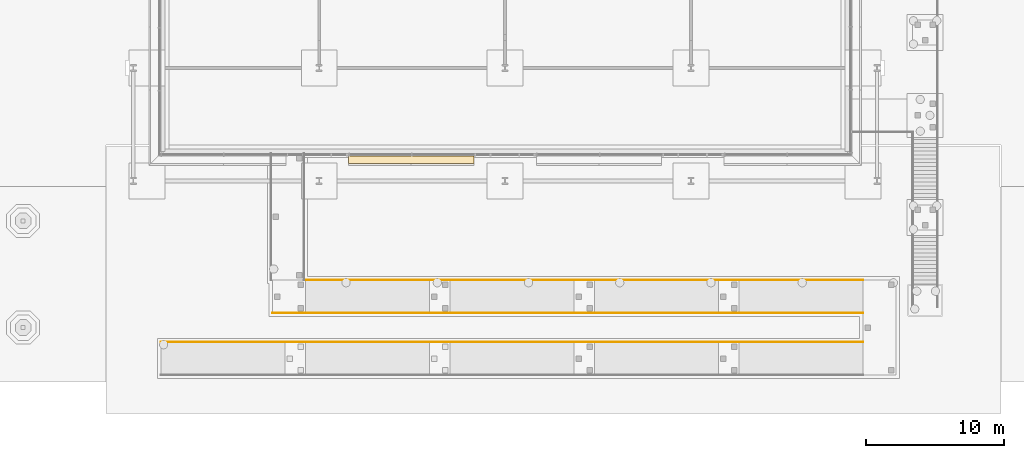
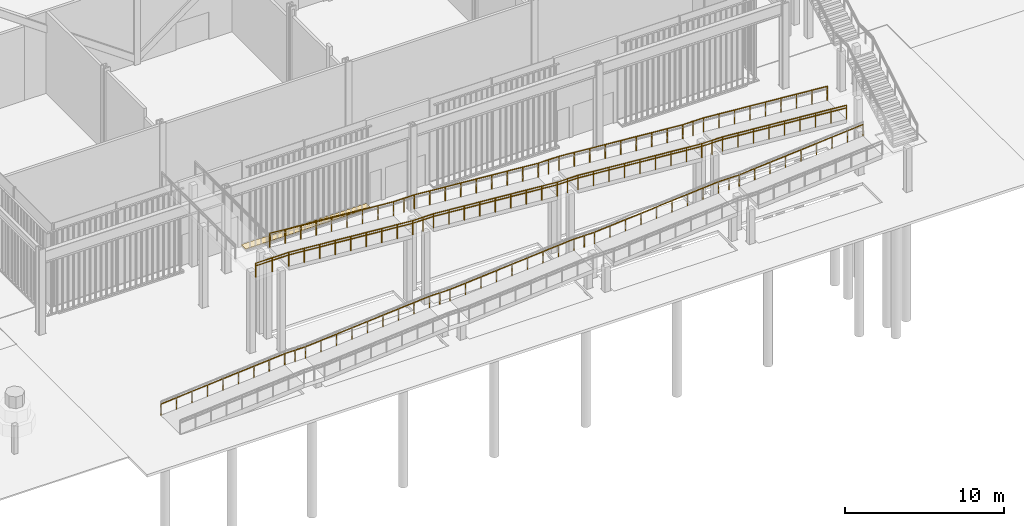
# One storey, part 22 of 28: 4 railings, 1 covering.
"""IFC4 building model written with IfcOpenShell, lengths in metres."""

from ifc_helpers import new_model, si_unit, direction, frame, origin, origin_2d, place, context, subcontext, project, spatial, polyline, circle, outline, extrude, material, layer, layer_set, type_object, element, save


model = new_model("IFC4")

# Units and contexts
model_context = context("Model", 3, precision=1e-05, world=origin(), true_north=direction((0.0, 1.0)))
body_context = subcontext(model_context, "Body", "Model", "MODEL_VIEW")
ifc_project = project(units=[si_unit("LENGTHUNIT", "METRE"), si_unit("AREAUNIT", "SQUARE_METRE"), si_unit("VOLUMEUNIT", "CUBIC_METRE"), si_unit("PLANEANGLEUNIT", "RADIAN"), si_unit("MASSUNIT", "GRAM", prefix="KILO")], contexts=[model_context])

# Site, building, storey
site_placement = place(None, origin())
site = spatial("IfcSite", under=ifc_project, at=site_placement, CompositionType="ELEMENT")
building_placement = place(site_placement, origin())
building = spatial("IfcBuilding", under=site, at=building_placement, Name="Millrace Tower", CompositionType="ELEMENT")
storey_placement = place(building_placement, origin())
storey = spatial("IfcBuildingStorey", under=building, at=storey_placement, Name="L01", CompositionType="ELEMENT", Elevation=0.0)

# Covering
ifc_material_1 = material(Name="Steel ASTM A36", Category="steel")
ifc_layer = layer(ifc_material_1, 0.050048828125)
ifc_layer_set = layer_set([ifc_layer], Name="Steel ASTM A36")
covering_type = type_object("IfcCoveringType", Name="CAVITY CATWALK steel grating", PredefinedType="FLOORING", material=ifc_layer_set)
covering_placement = place(storey_placement, frame((0.0, 0.0, 0.10009765625)))
element("IfcCovering", 1, at=covering_placement, inside=storey, type_object=covering_type, Name="Cavity catwalk grating AW1-F01 L01 2", PredefinedType="FLOORING", context=body_context, shape_type="SweptSolid", body=[
    extrude(outline(polyline([(-11.363525390625, -48.35009765625), (-2.272705078125, -48.35009765625), (-2.272705078125, -47.800048828125), (-11.363525390625, -47.800048828125), (-11.363525390625, -48.35009765625)])), origin(), (0.0, 0.0, 1.0), 0.0498046875),
])

# Railings
ifc_material_2 = material(Name="Stainless steel ASTM A240 type 316", Category="steel")
railing_type_1 = type_object("IfcRailingType", Name="Ramp guard 1100", PredefinedType="GUARDRAIL", material=ifc_material_2)
placement = place(storey_placement, frame((26.0, -59.199951171875, 3.611083984375)))
element("IfcRailing", 2, at=placement, inside=storey, type_object=railing_type_1, Name="Ramp guard row B S", PredefinedType="GUARDRAIL", context=body_context, shape_type="SweptSolid", body=[
    extrude(circle(Radius=0.02392578125, at=origin_2d()), frame((0.0, 0.0, 1.076171875), z_axis=(-0.996796163047, 0.0, 0.079983806703), x_axis=(0.0, -1.0, 0.0)), (0.0, 0.0, 1.0), 9.02880859375),
    extrude(circle(Radius=0.02392578125, at=origin_2d()), frame((-9.0, 0.0, 1.79833984375), z_axis=(-1.0, 0.0, 0.0), x_axis=(0.0, -1.0, 0.0)), (0.0, 0.0, 1.0), 1.5),
    extrude(circle(Radius=0.02392578125, at=origin_2d()), frame((-10.5, 0.0, 1.79833984375), z_axis=(-0.99679400687, 0.0, 0.080010673457), x_axis=(0.0, -1.0, 0.0)), (0.0, 0.0, 1.0), 9.029052734375),
    extrude(circle(Radius=0.02392578125, at=origin_2d()), frame((-19.5, 0.0, 2.5205078125), z_axis=(-1.0, 0.0, 0.0), x_axis=(0.0, -1.0, 0.0)), (0.0, 0.0, 1.0), 1.5),
    extrude(circle(Radius=0.02392578125, at=origin_2d()), frame((-21.0, 0.0, 2.5205078125), z_axis=(-0.996796163047, 0.0, 0.079983806703), x_axis=(0.0, -1.0, 0.0)), (0.0, 0.0, 1.0), 9.02880859375),
    extrude(circle(Radius=0.02392578125, at=origin_2d()), frame((-30.0, 0.0, 3.24267578125), z_axis=(-1.0, 0.0, 0.0), x_axis=(0.0, -1.0, 0.0)), (0.0, 0.0, 1.0), 1.5),
    extrude(circle(Radius=0.02392578125, at=origin_2d()), frame((-31.5, 0.0, 3.24267578125), z_axis=(-0.996796163047, 0.0, 0.079983806703), x_axis=(0.0, -1.0, 0.0)), (0.0, 0.0, 1.0), 9.02880859375),
    extrude(circle(Radius=0.02392578125, at=origin_2d()), frame((-40.5, 0.0, 3.96484375), z_axis=(-1.0, 0.0, 0.0), x_axis=(0.0, -1.0, 0.0)), (0.0, 0.0, 1.0), 2.39990234375),
    extrude(circle(Radius=0.02099609375, at=origin_2d()), origin(), (0.0, 0.0, 1.0), 1.052001953125),
    extrude(circle(Radius=0.02099609375, at=origin_2d()), frame((-1.125, 0.0, 0.09033203125)), (0.0, 0.0, 1.0), 1.052001953125),
    extrude(circle(Radius=0.02099609375, at=origin_2d()), frame((-2.25, 0.0, 0.1806640625)), (0.0, 0.0, 1.0), 1.052001953125),
    extrude(circle(Radius=0.02099609375, at=origin_2d()), frame((-3.375, 0.0, 0.270751953125)), (0.0, 0.0, 1.0), 1.052001953125),
    extrude(circle(Radius=0.02099609375, at=origin_2d()), frame((-4.5, 0.0, 0.361083984375)), (0.0, 0.0, 1.0), 1.052001953125),
    extrude(circle(Radius=0.02099609375, at=origin_2d()), frame((-5.625, 0.0, 0.451416015625)), (0.0, 0.0, 1.0), 1.052001953125),
    extrude(circle(Radius=0.02099609375, at=origin_2d()), frame((-6.75, 0.0, 0.54150390625)), (0.0, 0.0, 1.0), 1.052001953125),
    extrude(circle(Radius=0.02099609375, at=origin_2d()), frame((-7.875, 0.0, 0.6318359375)), (0.0, 0.0, 1.0), 1.052001953125),
    extrude(circle(Radius=0.02099609375, at=origin_2d()), frame((-9.0, 0.0, 0.72216796875)), (0.0, 0.0, 1.0), 1.052001953125),
    extrude(circle(Radius=0.02099609375, at=origin_2d()), frame((-9.75, 0.0, 0.72216796875)), (0.0, 0.0, 1.0), 1.052001953125),
    extrude(circle(Radius=0.02099609375, at=origin_2d()), frame((-10.5, 0.0, 0.72216796875)), (0.0, 0.0, 1.0), 1.052001953125),
    extrude(circle(Radius=0.02099609375, at=origin_2d()), frame((-11.625, 0.0, 0.8125)), (0.0, 0.0, 1.0), 1.052001953125),
    extrude(circle(Radius=0.02099609375, at=origin_2d()), frame((-12.75, 0.0, 0.90283203125)), (0.0, 0.0, 1.0), 1.052001953125),
    extrude(circle(Radius=0.02099609375, at=origin_2d()), frame((-13.875, 0.0, 0.9931640625)), (0.0, 0.0, 1.0), 1.052001953125),
    extrude(circle(Radius=0.02099609375, at=origin_2d()), frame((-15.0, 0.0, 1.08349609375)), (0.0, 0.0, 1.0), 1.052001953125),
    extrude(circle(Radius=0.02099609375, at=origin_2d()), frame((-16.125, 0.0, 1.173583984375)), (0.0, 0.0, 1.0), 1.052001953125),
    extrude(circle(Radius=0.02099609375, at=origin_2d()), frame((-17.25, 0.0, 1.263916015625)), (0.0, 0.0, 1.0), 1.052001953125),
    extrude(circle(Radius=0.02099609375, at=origin_2d()), frame((-18.375, 0.0, 1.354248046875)), (0.0, 0.0, 1.0), 1.052001953125),
    extrude(circle(Radius=0.02099609375, at=origin_2d()), frame((-19.5, 0.0, 1.444580078125)), (0.0, 0.0, 1.0), 1.052001953125),
    extrude(circle(Radius=0.02099609375, at=origin_2d()), frame((-20.25, 0.0, 1.444580078125)), (0.0, 0.0, 1.0), 1.052001953125),
    extrude(circle(Radius=0.02099609375, at=origin_2d()), frame((-21.0, 0.0, 1.444580078125)), (0.0, 0.0, 1.0), 1.052001953125),
    extrude(circle(Radius=0.02099609375, at=origin_2d()), frame((-22.125, 0.0, 1.534912109375)), (0.0, 0.0, 1.0), 1.052001953125),
    extrude(circle(Radius=0.02099609375, at=origin_2d()), frame((-23.25, 0.0, 1.625)), (0.0, 0.0, 1.0), 1.052001953125),
    extrude(circle(Radius=0.02099609375, at=origin_2d()), frame((-24.375, 0.0, 1.71533203125)), (0.0, 0.0, 1.0), 1.052001953125),
    extrude(circle(Radius=0.02099609375, at=origin_2d()), frame((-25.5, 0.0, 1.8056640625)), (0.0, 0.0, 1.0), 1.052001953125),
    extrude(circle(Radius=0.02099609375, at=origin_2d()), frame((-26.625, 0.0, 1.89599609375)), (0.0, 0.0, 1.0), 1.052001953125),
    extrude(circle(Radius=0.02099609375, at=origin_2d()), frame((-27.75, 0.0, 1.986328125)), (0.0, 0.0, 1.0), 1.052001953125),
    extrude(circle(Radius=0.02099609375, at=origin_2d()), frame((-28.875, 0.0, 2.076416015625)), (0.0, 0.0, 1.0), 1.052001953125),
    extrude(circle(Radius=0.02099609375, at=origin_2d()), frame((-30.0, 0.0, 2.166748046875)), (0.0, 0.0, 1.0), 1.052001953125),
    extrude(circle(Radius=0.02099609375, at=origin_2d()), frame((-30.75, 0.0, 2.166748046875)), (0.0, 0.0, 1.0), 1.052001953125),
    extrude(circle(Radius=0.02099609375, at=origin_2d()), frame((-31.5, 0.0, 2.166748046875)), (0.0, 0.0, 1.0), 1.052001953125),
    extrude(circle(Radius=0.02099609375, at=origin_2d()), frame((-32.625, 0.0, 2.257080078125)), (0.0, 0.0, 1.0), 1.052001953125),
    extrude(circle(Radius=0.02099609375, at=origin_2d()), frame((-33.75, 0.0, 2.34716796875)), (0.0, 0.0, 1.0), 1.052001953125),
    extrude(circle(Radius=0.02099609375, at=origin_2d()), frame((-34.875, 0.0, 2.4375)), (0.0, 0.0, 1.0), 1.052001953125),
    extrude(circle(Radius=0.02099609375, at=origin_2d()), frame((-36.0, 0.0, 2.52783203125)), (0.0, 0.0, 1.0), 1.052001953125),
    extrude(circle(Radius=0.02099609375, at=origin_2d()), frame((-37.125, 0.0, 2.6181640625)), (0.0, 0.0, 1.0), 1.052001953125),
    extrude(circle(Radius=0.02099609375, at=origin_2d()), frame((-38.25, 0.0, 2.70849609375)), (0.0, 0.0, 1.0), 1.052001953125),
    extrude(circle(Radius=0.02099609375, at=origin_2d()), frame((-39.375, 0.0, 2.798583984375)), (0.0, 0.0, 1.0), 1.052001953125),
    extrude(circle(Radius=0.02099609375, at=origin_2d()), frame((-40.5, 0.0, 2.888916015625)), (0.0, 0.0, 1.0), 1.052001953125),
    extrude(circle(Radius=0.02099609375, at=origin_2d()), frame((-41.699951171875, 0.0, 2.888916015625)), (0.0, 0.0, 1.0), 1.052001953125),
    extrude(circle(Radius=0.02099609375, at=origin_2d()), frame((-42.89990234375, 0.0, 2.888916015625)), (0.0, 0.0, 1.0), 1.052001953125),
])
railing_2_placement = place(storey_placement, frame((26.0, -56.800048828125, 3.611083984375)))
element("IfcRailing", 3, at=railing_2_placement, inside=storey, type_object=railing_type_1, Name="Ramp guard row B N", PredefinedType="GUARDRAIL", context=body_context, shape_type="SweptSolid", body=[
    extrude(circle(Radius=0.02392578125, at=origin_2d()), frame((0.0, 0.0, 1.076171875), z_axis=(-0.996796163047, 0.0, 0.079983806703), x_axis=(0.0, -1.0, 0.0)), (0.0, 0.0, 1.0), 9.02880859375),
    extrude(circle(Radius=0.02392578125, at=origin_2d()), frame((-9.0, 0.0, 1.79833984375), z_axis=(-1.0, 0.0, 0.0), x_axis=(0.0, -1.0, 0.0)), (0.0, 0.0, 1.0), 1.5),
    extrude(circle(Radius=0.02392578125, at=origin_2d()), frame((-10.5, 0.0, 1.79833984375), z_axis=(-0.99679400687, 0.0, 0.080010673457), x_axis=(0.0, -1.0, 0.0)), (0.0, 0.0, 1.0), 9.029052734375),
    extrude(circle(Radius=0.02392578125, at=origin_2d()), frame((-19.5, 0.0, 2.5205078125), z_axis=(-1.0, 0.0, 0.0), x_axis=(0.0, -1.0, 0.0)), (0.0, 0.0, 1.0), 1.5),
    extrude(circle(Radius=0.02392578125, at=origin_2d()), frame((-21.0, 0.0, 2.5205078125), z_axis=(-0.996796163047, 0.0, 0.079983806703), x_axis=(0.0, -1.0, 0.0)), (0.0, 0.0, 1.0), 9.02880859375),
    extrude(circle(Radius=0.02392578125, at=origin_2d()), frame((-30.0, 0.0, 3.24267578125), z_axis=(-1.0, 0.0, 0.0), x_axis=(0.0, -1.0, 0.0)), (0.0, 0.0, 1.0), 1.5),
    extrude(circle(Radius=0.02392578125, at=origin_2d()), frame((-31.5, 0.0, 3.24267578125), z_axis=(-0.996796163047, 0.0, 0.079983806703), x_axis=(0.0, -1.0, 0.0)), (0.0, 0.0, 1.0), 9.02880859375),
    extrude(circle(Radius=0.02099609375, at=origin_2d()), origin(), (0.0, 0.0, 1.0), 1.052001953125),
    extrude(circle(Radius=0.02099609375, at=origin_2d()), frame((-1.125, 0.0, 0.09033203125)), (0.0, 0.0, 1.0), 1.052001953125),
    extrude(circle(Radius=0.02099609375, at=origin_2d()), frame((-2.25, 0.0, 0.1806640625)), (0.0, 0.0, 1.0), 1.052001953125),
    extrude(circle(Radius=0.02099609375, at=origin_2d()), frame((-3.375, 0.0, 0.270751953125)), (0.0, 0.0, 1.0), 1.052001953125),
    extrude(circle(Radius=0.02099609375, at=origin_2d()), frame((-4.5, 0.0, 0.361083984375)), (0.0, 0.0, 1.0), 1.052001953125),
    extrude(circle(Radius=0.02099609375, at=origin_2d()), frame((-5.625, 0.0, 0.451416015625)), (0.0, 0.0, 1.0), 1.052001953125),
    extrude(circle(Radius=0.02099609375, at=origin_2d()), frame((-6.75, 0.0, 0.54150390625)), (0.0, 0.0, 1.0), 1.052001953125),
    extrude(circle(Radius=0.02099609375, at=origin_2d()), frame((-7.875, 0.0, 0.6318359375)), (0.0, 0.0, 1.0), 1.052001953125),
    extrude(circle(Radius=0.02099609375, at=origin_2d()), frame((-9.0, 0.0, 0.72216796875)), (0.0, 0.0, 1.0), 1.052001953125),
    extrude(circle(Radius=0.02099609375, at=origin_2d()), frame((-9.75, 0.0, 0.72216796875)), (0.0, 0.0, 1.0), 1.052001953125),
    extrude(circle(Radius=0.02099609375, at=origin_2d()), frame((-10.5, 0.0, 0.72216796875)), (0.0, 0.0, 1.0), 1.052001953125),
    extrude(circle(Radius=0.02099609375, at=origin_2d()), frame((-11.625, 0.0, 0.8125)), (0.0, 0.0, 1.0), 1.052001953125),
    extrude(circle(Radius=0.02099609375, at=origin_2d()), frame((-12.75, 0.0, 0.90283203125)), (0.0, 0.0, 1.0), 1.052001953125),
    extrude(circle(Radius=0.02099609375, at=origin_2d()), frame((-13.875, 0.0, 0.9931640625)), (0.0, 0.0, 1.0), 1.052001953125),
    extrude(circle(Radius=0.02099609375, at=origin_2d()), frame((-15.0, 0.0, 1.08349609375)), (0.0, 0.0, 1.0), 1.052001953125),
    extrude(circle(Radius=0.02099609375, at=origin_2d()), frame((-16.125, 0.0, 1.173583984375)), (0.0, 0.0, 1.0), 1.052001953125),
    extrude(circle(Radius=0.02099609375, at=origin_2d()), frame((-17.25, 0.0, 1.263916015625)), (0.0, 0.0, 1.0), 1.052001953125),
    extrude(circle(Radius=0.02099609375, at=origin_2d()), frame((-18.375, 0.0, 1.354248046875)), (0.0, 0.0, 1.0), 1.052001953125),
    extrude(circle(Radius=0.02099609375, at=origin_2d()), frame((-19.5, 0.0, 1.444580078125)), (0.0, 0.0, 1.0), 1.052001953125),
    extrude(circle(Radius=0.02099609375, at=origin_2d()), frame((-20.25, 0.0, 1.444580078125)), (0.0, 0.0, 1.0), 1.052001953125),
    extrude(circle(Radius=0.02099609375, at=origin_2d()), frame((-21.0, 0.0, 1.444580078125)), (0.0, 0.0, 1.0), 1.052001953125),
    extrude(circle(Radius=0.02099609375, at=origin_2d()), frame((-22.125, 0.0, 1.534912109375)), (0.0, 0.0, 1.0), 1.052001953125),
    extrude(circle(Radius=0.02099609375, at=origin_2d()), frame((-23.25, 0.0, 1.625)), (0.0, 0.0, 1.0), 1.052001953125),
    extrude(circle(Radius=0.02099609375, at=origin_2d()), frame((-24.375, 0.0, 1.71533203125)), (0.0, 0.0, 1.0), 1.052001953125),
    extrude(circle(Radius=0.02099609375, at=origin_2d()), frame((-25.5, 0.0, 1.8056640625)), (0.0, 0.0, 1.0), 1.052001953125),
    extrude(circle(Radius=0.02099609375, at=origin_2d()), frame((-26.625, 0.0, 1.89599609375)), (0.0, 0.0, 1.0), 1.052001953125),
    extrude(circle(Radius=0.02099609375, at=origin_2d()), frame((-27.75, 0.0, 1.986328125)), (0.0, 0.0, 1.0), 1.052001953125),
    extrude(circle(Radius=0.02099609375, at=origin_2d()), frame((-28.875, 0.0, 2.076416015625)), (0.0, 0.0, 1.0), 1.052001953125),
    extrude(circle(Radius=0.02099609375, at=origin_2d()), frame((-30.0, 0.0, 2.166748046875)), (0.0, 0.0, 1.0), 1.052001953125),
    extrude(circle(Radius=0.02099609375, at=origin_2d()), frame((-30.75, 0.0, 2.166748046875)), (0.0, 0.0, 1.0), 1.052001953125),
    extrude(circle(Radius=0.02099609375, at=origin_2d()), frame((-31.5, 0.0, 2.166748046875)), (0.0, 0.0, 1.0), 1.052001953125),
    extrude(circle(Radius=0.02099609375, at=origin_2d()), frame((-32.625, 0.0, 2.257080078125)), (0.0, 0.0, 1.0), 1.052001953125),
    extrude(circle(Radius=0.02099609375, at=origin_2d()), frame((-33.75, 0.0, 2.34716796875)), (0.0, 0.0, 1.0), 1.052001953125),
    extrude(circle(Radius=0.02099609375, at=origin_2d()), frame((-34.875, 0.0, 2.4375)), (0.0, 0.0, 1.0), 1.052001953125),
    extrude(circle(Radius=0.02099609375, at=origin_2d()), frame((-36.0, 0.0, 2.52783203125)), (0.0, 0.0, 1.0), 1.052001953125),
    extrude(circle(Radius=0.02099609375, at=origin_2d()), frame((-37.125, 0.0, 2.6181640625)), (0.0, 0.0, 1.0), 1.052001953125),
    extrude(circle(Radius=0.02099609375, at=origin_2d()), frame((-38.25, 0.0, 2.70849609375)), (0.0, 0.0, 1.0), 1.052001953125),
    extrude(circle(Radius=0.02099609375, at=origin_2d()), frame((-39.375, 0.0, 2.798583984375)), (0.0, 0.0, 1.0), 1.052001953125),
    extrude(circle(Radius=0.02099609375, at=origin_2d()), frame((-40.5, 0.0, 2.888916015625)), (0.0, 0.0, 1.0), 1.052001953125),
])
ifc_material_3 = material(Name="Stainless steel ASTM A240 type 316", Category="steel")
railing_type_2 = type_object("IfcRailingType", Name="Ramp handrail 900", PredefinedType="HANDRAIL", material=ifc_material_3)
railing_3_placement = place(storey_placement, frame((-25.0, -61.300048828125, 0.0)))
element("IfcRailing", 4, at=railing_3_placement, inside=storey, type_object=railing_type_2, Name="Ramp handrail row A N", PredefinedType="HANDRAIL", context=body_context, shape_type="SweptSolid", body=[
    extrude(circle(Radius=0.02392578125, at=origin_2d()), frame((0.0, 0.0, 0.8759765625), z_axis=(0.996796163047, 0.0, 0.079983806703), x_axis=(0.0, 1.0, 0.0)), (0.0, 0.0, 1.0), 9.02880859375),
    extrude(circle(Radius=0.02392578125, at=origin_2d()), frame((9.0, 0.0, 1.59814453125), z_axis=(1.0, 0.0, 0.0), x_axis=(0.0, 1.0, 0.0)), (0.0, 0.0, 1.0), 1.5),
    extrude(circle(Radius=0.02392578125, at=origin_2d()), frame((10.5, 0.0, 1.59814453125), z_axis=(0.996796163047, 0.0, 0.079983806703), x_axis=(0.0, 1.0, 0.0)), (0.0, 0.0, 1.0), 9.02880859375),
    extrude(circle(Radius=0.02392578125, at=origin_2d()), frame((19.5, 0.0, 2.3203125), z_axis=(1.0, 0.0, 0.0), x_axis=(0.0, 1.0, 0.0)), (0.0, 0.0, 1.0), 1.5),
    extrude(circle(Radius=0.02392578125, at=origin_2d()), frame((21.0, 0.0, 2.3203125), z_axis=(0.99679400687, 0.0, 0.080010673457), x_axis=(0.0, 1.0, 0.0)), (0.0, 0.0, 1.0), 9.029052734375),
    extrude(circle(Radius=0.02392578125, at=origin_2d()), frame((30.0, 0.0, 3.04248046875), z_axis=(1.0, 0.0, 0.0), x_axis=(0.0, 1.0, 0.0)), (0.0, 0.0, 1.0), 1.5),
    extrude(circle(Radius=0.02392578125, at=origin_2d()), frame((31.5, 0.0, 3.04248046875), z_axis=(0.996796163047, 0.0, 0.079983806703), x_axis=(0.0, 1.0, 0.0)), (0.0, 0.0, 1.0), 9.02880859375),
    extrude(circle(Radius=0.02392578125, at=origin_2d()), frame((40.5, 0.0, 3.7646484375), z_axis=(1.0, 0.0, 0.0), x_axis=(0.0, 1.0, 0.0)), (0.0, 0.0, 1.0), 1.5),
    extrude(circle(Radius=0.02392578125, at=origin_2d()), frame((42.0, 0.0, 3.7646484375), z_axis=(0.996796163047, 0.0, 0.079983806703), x_axis=(0.0, 1.0, 0.0)), (0.0, 0.0, 1.0), 9.02880859375),
    extrude(circle(Radius=0.02099609375, at=origin_2d()), origin(), (0.0, 0.0, 1.0), 0.851806640625),
    extrude(circle(Radius=0.02099609375, at=origin_2d()), frame((1.125, 0.0, 0.09033203125)), (0.0, 0.0, 1.0), 0.851806640625),
    extrude(circle(Radius=0.02099609375, at=origin_2d()), frame((2.25, 0.0, 0.1806640625)), (0.0, 0.0, 1.0), 0.851806640625),
    extrude(circle(Radius=0.02099609375, at=origin_2d()), frame((3.375, 0.0, 0.270751953125)), (0.0, 0.0, 1.0), 0.851806640625),
    extrude(circle(Radius=0.02099609375, at=origin_2d()), frame((4.5, 0.0, 0.361083984375)), (0.0, 0.0, 1.0), 0.851806640625),
    extrude(circle(Radius=0.02099609375, at=origin_2d()), frame((5.625, 0.0, 0.451416015625)), (0.0, 0.0, 1.0), 0.851806640625),
    extrude(circle(Radius=0.02099609375, at=origin_2d()), frame((6.75, 0.0, 0.54150390625)), (0.0, 0.0, 1.0), 0.851806640625),
    extrude(circle(Radius=0.02099609375, at=origin_2d()), frame((7.875, 0.0, 0.6318359375)), (0.0, 0.0, 1.0), 0.851806640625),
    extrude(circle(Radius=0.02099609375, at=origin_2d()), frame((9.0, 0.0, 0.72216796875)), (0.0, 0.0, 1.0), 0.851806640625),
    extrude(circle(Radius=0.02099609375, at=origin_2d()), frame((9.75, 0.0, 0.72216796875)), (0.0, 0.0, 1.0), 0.851806640625),
    extrude(circle(Radius=0.02099609375, at=origin_2d()), frame((10.5, 0.0, 0.72216796875)), (0.0, 0.0, 1.0), 0.851806640625),
    extrude(circle(Radius=0.02099609375, at=origin_2d()), frame((11.625, 0.0, 0.8125)), (0.0, 0.0, 1.0), 0.851806640625),
    extrude(circle(Radius=0.02099609375, at=origin_2d()), frame((12.75, 0.0, 0.90283203125)), (0.0, 0.0, 1.0), 0.851806640625),
    extrude(circle(Radius=0.02099609375, at=origin_2d()), frame((13.875, 0.0, 0.992919921875)), (0.0, 0.0, 1.0), 0.851806640625),
    extrude(circle(Radius=0.02099609375, at=origin_2d()), frame((15.0, 0.0, 1.083251953125)), (0.0, 0.0, 1.0), 0.851806640625),
    extrude(circle(Radius=0.02099609375, at=origin_2d()), frame((16.125, 0.0, 1.173583984375)), (0.0, 0.0, 1.0), 0.851806640625),
    extrude(circle(Radius=0.02099609375, at=origin_2d()), frame((17.25, 0.0, 1.263671875)), (0.0, 0.0, 1.0), 0.851806640625),
    extrude(circle(Radius=0.02099609375, at=origin_2d()), frame((18.375, 0.0, 1.35400390625)), (0.0, 0.0, 1.0), 0.851806640625),
    extrude(circle(Radius=0.02099609375, at=origin_2d()), frame((19.5, 0.0, 1.4443359375)), (0.0, 0.0, 1.0), 0.851806640625),
    extrude(circle(Radius=0.02099609375, at=origin_2d()), frame((20.25, 0.0, 1.4443359375)), (0.0, 0.0, 1.0), 0.851806640625),
    extrude(circle(Radius=0.02099609375, at=origin_2d()), frame((21.0, 0.0, 1.4443359375)), (0.0, 0.0, 1.0), 0.851806640625),
    extrude(circle(Radius=0.02099609375, at=origin_2d()), frame((22.125, 0.0, 1.53466796875)), (0.0, 0.0, 1.0), 0.851806640625),
    extrude(circle(Radius=0.02099609375, at=origin_2d()), frame((23.25, 0.0, 1.625)), (0.0, 0.0, 1.0), 0.851806640625),
    extrude(circle(Radius=0.02099609375, at=origin_2d()), frame((24.375, 0.0, 1.71533203125)), (0.0, 0.0, 1.0), 0.851806640625),
    extrude(circle(Radius=0.02099609375, at=origin_2d()), frame((25.5, 0.0, 1.8056640625)), (0.0, 0.0, 1.0), 0.851806640625),
    extrude(circle(Radius=0.02099609375, at=origin_2d()), frame((26.625, 0.0, 1.895751953125)), (0.0, 0.0, 1.0), 0.851806640625),
    extrude(circle(Radius=0.02099609375, at=origin_2d()), frame((27.75, 0.0, 1.986083984375)), (0.0, 0.0, 1.0), 0.851806640625),
    extrude(circle(Radius=0.02099609375, at=origin_2d()), frame((28.875, 0.0, 2.076416015625)), (0.0, 0.0, 1.0), 0.851806640625),
    extrude(circle(Radius=0.02099609375, at=origin_2d()), frame((30.0, 0.0, 2.166748046875)), (0.0, 0.0, 1.0), 0.851806640625),
    extrude(circle(Radius=0.02099609375, at=origin_2d()), frame((30.75, 0.0, 2.166748046875)), (0.0, 0.0, 1.0), 0.851806640625),
    extrude(circle(Radius=0.02099609375, at=origin_2d()), frame((31.5, 0.0, 2.166748046875)), (0.0, 0.0, 1.0), 0.851806640625),
    extrude(circle(Radius=0.02099609375, at=origin_2d()), frame((32.625, 0.0, 2.257080078125)), (0.0, 0.0, 1.0), 0.851806640625),
    extrude(circle(Radius=0.02099609375, at=origin_2d()), frame((33.75, 0.0, 2.34716796875)), (0.0, 0.0, 1.0), 0.851806640625),
    extrude(circle(Radius=0.02099609375, at=origin_2d()), frame((34.875, 0.0, 2.4375)), (0.0, 0.0, 1.0), 0.851806640625),
    extrude(circle(Radius=0.02099609375, at=origin_2d()), frame((36.0, 0.0, 2.52783203125)), (0.0, 0.0, 1.0), 0.851806640625),
    extrude(circle(Radius=0.02099609375, at=origin_2d()), frame((37.125, 0.0, 2.6181640625)), (0.0, 0.0, 1.0), 0.851806640625),
    extrude(circle(Radius=0.02099609375, at=origin_2d()), frame((38.25, 0.0, 2.70849609375)), (0.0, 0.0, 1.0), 0.851806640625),
    extrude(circle(Radius=0.02099609375, at=origin_2d()), frame((39.375, 0.0, 2.798583984375)), (0.0, 0.0, 1.0), 0.851806640625),
    extrude(circle(Radius=0.02099609375, at=origin_2d()), frame((40.5, 0.0, 2.888916015625)), (0.0, 0.0, 1.0), 0.851806640625),
    extrude(circle(Radius=0.02099609375, at=origin_2d()), frame((41.25, 0.0, 2.888916015625)), (0.0, 0.0, 1.0), 0.851806640625),
    extrude(circle(Radius=0.02099609375, at=origin_2d()), frame((42.0, 0.0, 2.888916015625)), (0.0, 0.0, 1.0), 0.851806640625),
    extrude(circle(Radius=0.02099609375, at=origin_2d()), frame((43.125, 0.0, 2.979248046875)), (0.0, 0.0, 1.0), 0.851806640625),
    extrude(circle(Radius=0.02099609375, at=origin_2d()), frame((44.25, 0.0, 3.0693359375)), (0.0, 0.0, 1.0), 0.851806640625),
    extrude(circle(Radius=0.02099609375, at=origin_2d()), frame((45.375, 0.0, 3.15966796875)), (0.0, 0.0, 1.0), 0.851806640625),
    extrude(circle(Radius=0.02099609375, at=origin_2d()), frame((46.5, 0.0, 3.25)), (0.0, 0.0, 1.0), 0.851806640625),
    extrude(circle(Radius=0.02099609375, at=origin_2d()), frame((47.625, 0.0, 3.34033203125)), (0.0, 0.0, 1.0), 0.851806640625),
    extrude(circle(Radius=0.02099609375, at=origin_2d()), frame((48.75, 0.0, 3.4306640625)), (0.0, 0.0, 1.0), 0.851806640625),
    extrude(circle(Radius=0.02099609375, at=origin_2d()), frame((49.875, 0.0, 3.520751953125)), (0.0, 0.0, 1.0), 0.851806640625),
    extrude(circle(Radius=0.02099609375, at=origin_2d()), frame((51.0, 0.0, 3.611083984375)), (0.0, 0.0, 1.0), 0.851806640625),
])
element("IfcRailing", 5, at=placement, inside=storey, type_object=railing_type_2, Name="Ramp handrail row B S", PredefinedType="HANDRAIL", context=body_context, shape_type="SweptSolid", body=[
    extrude(circle(Radius=0.02392578125, at=origin_2d()), frame((0.0, 0.0, 0.8759765625), z_axis=(-0.996796163047, 0.0, 0.079983806703), x_axis=(0.0, -1.0, 0.0)), (0.0, 0.0, 1.0), 9.02880859375),
    extrude(circle(Radius=0.02392578125, at=origin_2d()), frame((-9.0, 0.0, 1.59814453125), z_axis=(-1.0, 0.0, 0.0), x_axis=(0.0, -1.0, 0.0)), (0.0, 0.0, 1.0), 1.5),
    extrude(circle(Radius=0.02392578125, at=origin_2d()), frame((-10.5, 0.0, 1.59814453125), z_axis=(-0.99679400687, 0.0, 0.080010673457), x_axis=(0.0, -1.0, 0.0)), (0.0, 0.0, 1.0), 9.029052734375),
    extrude(circle(Radius=0.02392578125, at=origin_2d()), frame((-19.5, 0.0, 2.3203125), z_axis=(-1.0, 0.0, 0.0), x_axis=(0.0, -1.0, 0.0)), (0.0, 0.0, 1.0), 1.5),
    extrude(circle(Radius=0.02392578125, at=origin_2d()), frame((-21.0, 0.0, 2.3203125), z_axis=(-0.996796163047, 0.0, 0.079983806703), x_axis=(0.0, -1.0, 0.0)), (0.0, 0.0, 1.0), 9.02880859375),
    extrude(circle(Radius=0.02392578125, at=origin_2d()), frame((-30.0, 0.0, 3.04248046875), z_axis=(-1.0, 0.0, 0.0), x_axis=(0.0, -1.0, 0.0)), (0.0, 0.0, 1.0), 1.5),
    extrude(circle(Radius=0.02392578125, at=origin_2d()), frame((-31.5, 0.0, 3.04248046875), z_axis=(-0.996796163047, 0.0, 0.079983806703), x_axis=(0.0, -1.0, 0.0)), (0.0, 0.0, 1.0), 9.02880859375),
    extrude(circle(Radius=0.02392578125, at=origin_2d()), frame((-40.5, 0.0, 3.7646484375), z_axis=(-1.0, 0.0, 0.0), x_axis=(0.0, -1.0, 0.0)), (0.0, 0.0, 1.0), 2.39990234375),
    extrude(circle(Radius=0.02099609375, at=origin_2d()), origin(), (0.0, 0.0, 1.0), 0.851806640625),
    extrude(circle(Radius=0.02099609375, at=origin_2d()), frame((-1.125, 0.0, 0.09033203125)), (0.0, 0.0, 1.0), 0.851806640625),
    extrude(circle(Radius=0.02099609375, at=origin_2d()), frame((-2.25, 0.0, 0.1806640625)), (0.0, 0.0, 1.0), 0.851806640625),
    extrude(circle(Radius=0.02099609375, at=origin_2d()), frame((-3.375, 0.0, 0.270751953125)), (0.0, 0.0, 1.0), 0.851806640625),
    extrude(circle(Radius=0.02099609375, at=origin_2d()), frame((-4.5, 0.0, 0.361083984375)), (0.0, 0.0, 1.0), 0.851806640625),
    extrude(circle(Radius=0.02099609375, at=origin_2d()), frame((-5.625, 0.0, 0.451416015625)), (0.0, 0.0, 1.0), 0.851806640625),
    extrude(circle(Radius=0.02099609375, at=origin_2d()), frame((-6.75, 0.0, 0.54150390625)), (0.0, 0.0, 1.0), 0.851806640625),
    extrude(circle(Radius=0.02099609375, at=origin_2d()), frame((-7.875, 0.0, 0.6318359375)), (0.0, 0.0, 1.0), 0.851806640625),
    extrude(circle(Radius=0.02099609375, at=origin_2d()), frame((-9.0, 0.0, 0.72216796875)), (0.0, 0.0, 1.0), 0.851806640625),
    extrude(circle(Radius=0.02099609375, at=origin_2d()), frame((-9.75, 0.0, 0.72216796875)), (0.0, 0.0, 1.0), 0.851806640625),
    extrude(circle(Radius=0.02099609375, at=origin_2d()), frame((-10.5, 0.0, 0.72216796875)), (0.0, 0.0, 1.0), 0.851806640625),
    extrude(circle(Radius=0.02099609375, at=origin_2d()), frame((-11.625, 0.0, 0.8125)), (0.0, 0.0, 1.0), 0.851806640625),
    extrude(circle(Radius=0.02099609375, at=origin_2d()), frame((-12.75, 0.0, 0.90283203125)), (0.0, 0.0, 1.0), 0.851806640625),
    extrude(circle(Radius=0.02099609375, at=origin_2d()), frame((-13.875, 0.0, 0.9931640625)), (0.0, 0.0, 1.0), 0.851806640625),
    extrude(circle(Radius=0.02099609375, at=origin_2d()), frame((-15.0, 0.0, 1.08349609375)), (0.0, 0.0, 1.0), 0.851806640625),
    extrude(circle(Radius=0.02099609375, at=origin_2d()), frame((-16.125, 0.0, 1.173583984375)), (0.0, 0.0, 1.0), 0.851806640625),
    extrude(circle(Radius=0.02099609375, at=origin_2d()), frame((-17.25, 0.0, 1.263916015625)), (0.0, 0.0, 1.0), 0.851806640625),
    extrude(circle(Radius=0.02099609375, at=origin_2d()), frame((-18.375, 0.0, 1.354248046875)), (0.0, 0.0, 1.0), 0.851806640625),
    extrude(circle(Radius=0.02099609375, at=origin_2d()), frame((-19.5, 0.0, 1.444580078125)), (0.0, 0.0, 1.0), 0.851806640625),
    extrude(circle(Radius=0.02099609375, at=origin_2d()), frame((-20.25, 0.0, 1.444580078125)), (0.0, 0.0, 1.0), 0.851806640625),
    extrude(circle(Radius=0.02099609375, at=origin_2d()), frame((-21.0, 0.0, 1.444580078125)), (0.0, 0.0, 1.0), 0.851806640625),
    extrude(circle(Radius=0.02099609375, at=origin_2d()), frame((-22.125, 0.0, 1.534912109375)), (0.0, 0.0, 1.0), 0.851806640625),
    extrude(circle(Radius=0.02099609375, at=origin_2d()), frame((-23.25, 0.0, 1.625)), (0.0, 0.0, 1.0), 0.851806640625),
    extrude(circle(Radius=0.02099609375, at=origin_2d()), frame((-24.375, 0.0, 1.71533203125)), (0.0, 0.0, 1.0), 0.851806640625),
    extrude(circle(Radius=0.02099609375, at=origin_2d()), frame((-25.5, 0.0, 1.8056640625)), (0.0, 0.0, 1.0), 0.851806640625),
    extrude(circle(Radius=0.02099609375, at=origin_2d()), frame((-26.625, 0.0, 1.89599609375)), (0.0, 0.0, 1.0), 0.851806640625),
    extrude(circle(Radius=0.02099609375, at=origin_2d()), frame((-27.75, 0.0, 1.986328125)), (0.0, 0.0, 1.0), 0.851806640625),
    extrude(circle(Radius=0.02099609375, at=origin_2d()), frame((-28.875, 0.0, 2.076416015625)), (0.0, 0.0, 1.0), 0.851806640625),
    extrude(circle(Radius=0.02099609375, at=origin_2d()), frame((-30.0, 0.0, 2.166748046875)), (0.0, 0.0, 1.0), 0.851806640625),
    extrude(circle(Radius=0.02099609375, at=origin_2d()), frame((-30.75, 0.0, 2.166748046875)), (0.0, 0.0, 1.0), 0.851806640625),
    extrude(circle(Radius=0.02099609375, at=origin_2d()), frame((-31.5, 0.0, 2.166748046875)), (0.0, 0.0, 1.0), 0.851806640625),
    extrude(circle(Radius=0.02099609375, at=origin_2d()), frame((-32.625, 0.0, 2.257080078125)), (0.0, 0.0, 1.0), 0.851806640625),
    extrude(circle(Radius=0.02099609375, at=origin_2d()), frame((-33.75, 0.0, 2.34716796875)), (0.0, 0.0, 1.0), 0.851806640625),
    extrude(circle(Radius=0.02099609375, at=origin_2d()), frame((-34.875, 0.0, 2.4375)), (0.0, 0.0, 1.0), 0.851806640625),
    extrude(circle(Radius=0.02099609375, at=origin_2d()), frame((-36.0, 0.0, 2.52783203125)), (0.0, 0.0, 1.0), 0.851806640625),
    extrude(circle(Radius=0.02099609375, at=origin_2d()), frame((-37.125, 0.0, 2.6181640625)), (0.0, 0.0, 1.0), 0.851806640625),
    extrude(circle(Radius=0.02099609375, at=origin_2d()), frame((-38.25, 0.0, 2.70849609375)), (0.0, 0.0, 1.0), 0.851806640625),
    extrude(circle(Radius=0.02099609375, at=origin_2d()), frame((-39.375, 0.0, 2.798583984375)), (0.0, 0.0, 1.0), 0.851806640625),
    extrude(circle(Radius=0.02099609375, at=origin_2d()), frame((-40.5, 0.0, 2.888916015625)), (0.0, 0.0, 1.0), 0.851806640625),
    extrude(circle(Radius=0.02099609375, at=origin_2d()), frame((-41.699951171875, 0.0, 2.888916015625)), (0.0, 0.0, 1.0), 0.851806640625),
    extrude(circle(Radius=0.02099609375, at=origin_2d()), frame((-42.89990234375, 0.0, 2.888916015625)), (0.0, 0.0, 1.0), 0.851806640625),
])

save(model, "model.ifc")
